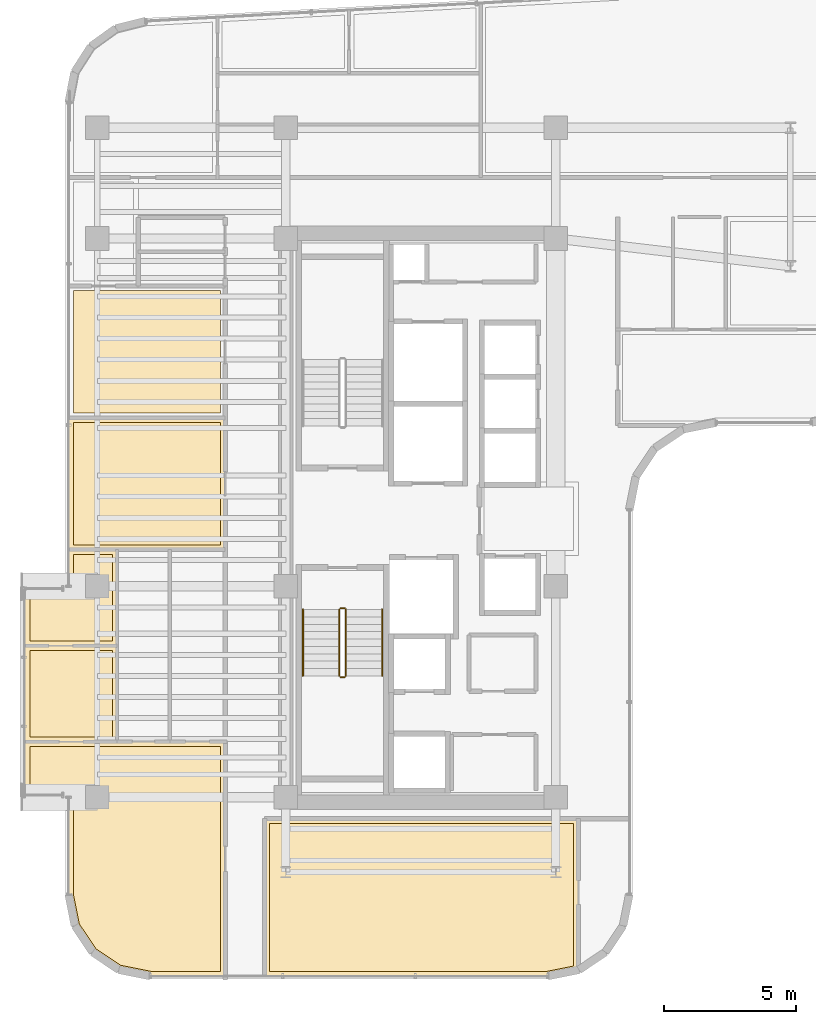
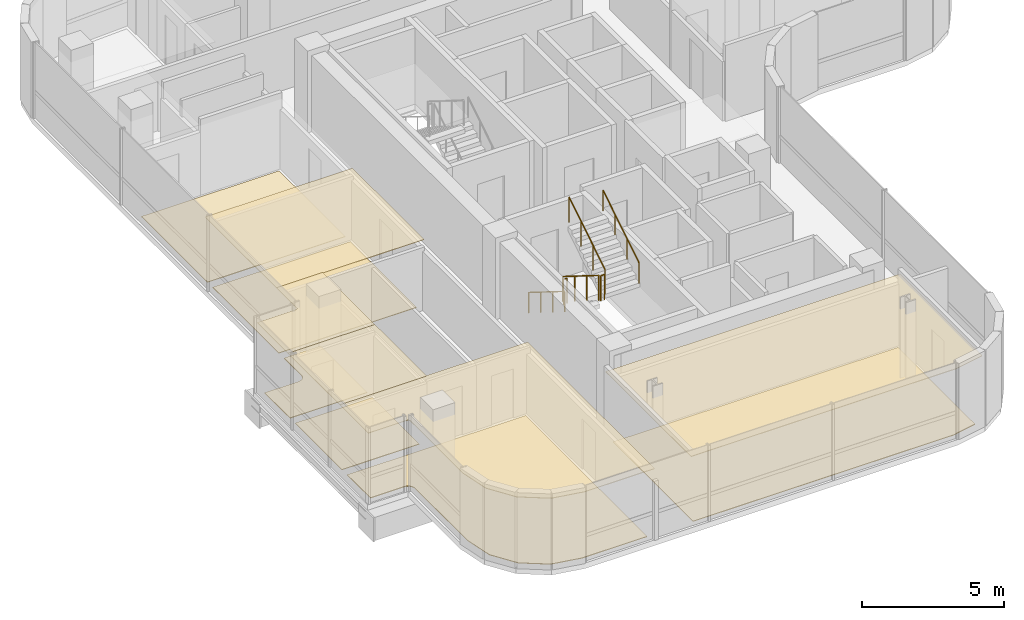
# One storey, part 22 of 24: 11 coverings, 6 railings.
"""IFC4 building model written with IfcOpenShell, lengths in metres."""

import ifcopenshell
import ifcopenshell.guid

model = None  # the IFC model being written
_history = None  # IfcOwnerHistory: only IFC2X3 demands one
_inside = {}  # id of a spatial element -> (the spatial element, [elements in it])
_under = {}  # id of a project, library or spatial element -> (it, [spatial elements below it])
_declared = {}  # id of a project -> (the project, [libraries it declares])
_typed = {}  # id of a type object -> (the type object, [elements of that type])
_made_of = {}  # id of a material, layer set ... -> (it, [elements and type objects made of it])


def new_model(schema):
    """Start an empty IFC model of exactly this schema.

    Asked for "IFC4X3", IfcOpenShell would pick the latest addendum, in which some entities
    have other attributes; the version numbers below select the first issue.
    IFC2X3 requires an IfcOwnerHistory on every rooted entity: one is made here for all.
    """
    global model, _history
    if schema == "IFC4X3":
        model = ifcopenshell.file(schema_version=(4, 3, 0, 0))
    else:
        model = ifcopenshell.file(schema=schema)
    _inside.clear()
    _under.clear()
    _declared.clear()
    _typed.clear()
    _made_of.clear()
    _history = None
    if model.schema == "IFC2X3":
        org = make("IfcOrganization", Name="unknown")
        user = make(
            "IfcPersonAndOrganization",
            ThePerson=make("IfcPerson", FamilyName="unknown"),
            TheOrganization=org,
        )
        app = make(
            "IfcApplication",
            ApplicationDeveloper=org,
            Version="unknown",
            ApplicationFullName="unknown",
            ApplicationIdentifier="unknown",
        )
        _history = make(
            "IfcOwnerHistory",
            OwningUser=user,
            OwningApplication=app,
            ChangeAction="ADDED",
            CreationDate=0,
        )
    return model


def make(cls, **values):
    """One entity of the class cls with the attributes given. An attribute that is None is left unset."""
    return model.create_entity(
        cls, **{name: value for name, value in values.items() if value is not None}
    )


def rooted(cls, **values):
    """An entity with a GlobalId (a new one), such as an element, a storey or a relation."""
    return make(cls, GlobalId=ifcopenshell.guid.new(), OwnerHistory=_history, **values)


def si_unit(unit_type, name, prefix=None):
    """IfcSIUnit, for example si_unit("LENGTHUNIT", "METRE", prefix="MILLI")."""
    return make("IfcSIUnit", UnitType=unit_type, Prefix=prefix, Name=name)


def assignment(units):
    """IfcUnitAssignment: the units of a project."""
    return None if units is None else make("IfcUnitAssignment", Units=units)


def point(xyz):
    """IfcCartesianPoint."""
    return None if xyz is None else make("IfcCartesianPoint", Coordinates=xyz)


def direction(xyz):
    """IfcDirection."""
    return None if xyz is None else make("IfcDirection", DirectionRatios=xyz)


def frame(location, z_axis=None, x_axis=None):
    """IfcAxis2Placement3D, a coordinate frame: its origin and axes. An axis left out is left unset."""
    return make(
        "IfcAxis2Placement3D",
        Location=point(location),
        Axis=direction(z_axis),
        RefDirection=direction(x_axis),
    )


def frame_2d(location, x_axis=None):
    """IfcAxis2Placement2D, a coordinate frame in the plane: its origin and x axis."""
    return make(
        "IfcAxis2Placement2D", Location=point(location), RefDirection=direction(x_axis)
    )


def origin():
    """The frame at (0, 0, 0) with its axes left unset."""
    return frame((0.0, 0.0, 0.0))


def origin_2d():
    """The frame at (0, 0) in the plane with its x axis left unset."""
    return frame_2d((0.0, 0.0))


def place(relative_to, where):
    """IfcLocalPlacement: puts the frame where relative to a parent placement (None: the world)."""
    return make(
        "IfcLocalPlacement", PlacementRelTo=relative_to, RelativePlacement=where
    )


def context(
    kind, dimensions, precision=None, world=None, true_north=None, identifier=None
):
    """IfcGeometricRepresentationContext, for example the 3D "Model" context."""
    return make(
        "IfcGeometricRepresentationContext",
        ContextIdentifier=identifier,
        ContextType=kind,
        CoordinateSpaceDimension=dimensions,
        Precision=precision,
        WorldCoordinateSystem=world,
        TrueNorth=true_north,
    )


def subcontext(parent, identifier, kind, view, scale=None):
    """IfcGeometricRepresentationSubContext, for example "Body" below "Model"."""
    return make(
        "IfcGeometricRepresentationSubContext",
        ContextIdentifier=identifier,
        ContextType=kind,
        ParentContext=parent,
        TargetScale=scale,
        TargetView=view,
    )


def project(units=None, contexts=None):
    """IfcProject with its units and contexts."""
    return rooted(
        "IfcProject",
        Name="project",
        RepresentationContexts=contexts,
        UnitsInContext=assignment(units),
    )


def spatial(cls, under=None, at=None, **own):
    """A site, building, storey or space (cls), placed at a placement, below another one or the project."""
    s = rooted(cls, ObjectPlacement=at, **own)
    if under is not None:
        _under.setdefault(under.id(), (under, []))[1].append(s)
    return s


def polyline(points):
    """IfcPolyline through the points."""
    return make("IfcPolyline", Points=[point(p) for p in points])


def profile(cls, at=None, kind="AREA", **sizes):
    """A parametric profile (cls). Its sizes go by their IFC names, for example OverallWidth=200.0."""
    return make(cls, ProfileType=kind, Position=at, **sizes)


def circle(**sizes):
    """IfcCircleProfileDef."""
    return profile("IfcCircleProfileDef", **sizes)


def outline(outer, holes=None, kind="AREA"):
    """IfcArbitraryClosedProfileDef: a profile drawn as a closed curve; with holes, ...WithVoids."""
    if holes is None:
        return make("IfcArbitraryClosedProfileDef", ProfileType=kind, OuterCurve=outer)
    return make(
        "IfcArbitraryProfileDefWithVoids",
        ProfileType=kind,
        OuterCurve=outer,
        InnerCurves=holes,
    )


def extrude(swept, where, along, depth):
    """IfcExtrudedAreaSolid: the profile swept, set in the frame where, extruded along a direction by depth."""
    return make(
        "IfcExtrudedAreaSolid",
        SweptArea=swept,
        Position=where,
        ExtrudedDirection=direction(along),
        Depth=depth,
    )


def shape(context_of_items, identifier, shape_type, items):
    """IfcShapeRepresentation: the items that make up one representation, for example the "Body"."""
    return make(
        "IfcShapeRepresentation",
        ContextOfItems=context_of_items,
        RepresentationIdentifier=identifier,
        RepresentationType=shape_type,
        Items=items,
    )


def material(Name=None, Category=None):
    """IfcMaterial."""
    return make("IfcMaterial", Name=Name, Category=Category)


def layer(
    of_material, thickness, ventilated=None, Name=None, Category=None, Priority=None
):
    """IfcMaterialLayer: one layer of a wall or slab, of a material (None: an air gap)."""
    return make(
        "IfcMaterialLayer",
        Material=of_material,
        LayerThickness=thickness,
        IsVentilated=ventilated,
        Name=Name,
        Category=Category,
        Priority=Priority,
    )


def layer_set(layers, Name=None):
    """IfcMaterialLayerSet."""
    return make("IfcMaterialLayerSet", MaterialLayers=layers, LayerSetName=Name)


def made_of(thing, what):
    """Note that an element or type object is made of a material, layer set ...; save() writes the relation."""
    if what is not None:
        _made_of.setdefault(what.id(), (what, []))[1].append(thing)
    return thing


def type_object(cls, material=None, **own):
    """A type object (cls), such as IfcWallType, which elements share."""
    return made_of(rooted(cls, **own), material)


def element(
    cls,
    number,
    at=None,
    inside=None,
    cuts=None,
    type_object=None,
    material=None,
    context=None,
    identifier="Body",
    shape_type=None,
    held_by="IfcProductDefinitionShape",
    body=None,
    shapes=None,
    **own,
):
    """One element of the class cls, such as IfcWall. Its Tag is "e" and its number.

    at: its placement. inside: the storey or other place that contains it. cuts: it is an
    opening in that element (IfcRelVoidsElement). A single representation is given by context,
    identifier, shape_type and body (its items); several are given by shapes. held_by: the class
    of the entity that holds the representations. save() writes the other relations.
    """
    e = rooted(cls, Tag="e%d" % number, ObjectPlacement=at, **own)
    if body is not None:
        shapes = [shape(context, identifier, shape_type, body)]
    if shapes is not None:
        e.Representation = make(held_by, Representations=shapes)
    if inside is not None:
        _inside.setdefault(inside.id(), (inside, []))[1].append(e)
    if cuts is not None:
        rooted(
            "IfcRelVoidsElement", RelatingBuildingElement=cuts, RelatedOpeningElement=e
        )
    if type_object is not None:
        _typed.setdefault(type_object.id(), (type_object, []))[1].append(e)
    return made_of(e, material)


def aggregate(whole, parts):
    """IfcRelAggregates: a whole, such as a stair, and the parts it consists of."""
    return rooted("IfcRelAggregates", RelatingObject=whole, RelatedObjects=parts)


def save(model, path):
    """Write the relations noted so far, then the file.

    IfcRelAggregates (storeys below a building ...), IfcRelContainedInSpatialStructure (elements
    in a storey), IfcRelDefinesByType, IfcRelAssociatesMaterial and IfcRelDeclares: one each for
    every whole, place, type object, material and project.
    """
    for whole, parts in _under.values():
        aggregate(whole, parts)
    for where, things in _inside.values():
        rooted(
            "IfcRelContainedInSpatialStructure",
            RelatedElements=things,
            RelatingStructure=where,
        )
    for kind, things in _typed.values():
        rooted("IfcRelDefinesByType", RelatedObjects=things, RelatingType=kind)
    for what, things in _made_of.values():
        rooted("IfcRelAssociatesMaterial", RelatedObjects=things, RelatingMaterial=what)
    for by, libraries in _declared.values():
        rooted("IfcRelDeclares", RelatingContext=by, RelatedDefinitions=libraries)
    model.write(path)


model = new_model("IFC4")

# Units and contexts
model_context = context("Model", 3, precision=1e-05, world=origin(), true_north=direction((0.0, 1.0)))
body_context = subcontext(model_context, "Body", "Model", "MODEL_VIEW")
ifc_project = project(units=[si_unit("LENGTHUNIT", "METRE"), si_unit("AREAUNIT", "SQUARE_METRE"), si_unit("VOLUMEUNIT", "CUBIC_METRE"), si_unit("PLANEANGLEUNIT", "RADIAN"), si_unit("MASSUNIT", "GRAM", prefix="KILO")], contexts=[model_context])

# Site, building, storey
site_placement = place(None, origin())
site = spatial("IfcSite", under=ifc_project, at=site_placement, CompositionType="ELEMENT")
building_placement = place(site_placement, origin())
building = spatial("IfcBuilding", under=site, at=building_placement, Name="Valdorenza Pilgrim Sanctuary Tower", CompositionType="ELEMENT")
storey_placement = place(building_placement, frame((0.0, 0.0, 205.5)))
storey = spatial("IfcBuildingStorey", under=building, at=storey_placement, Name="L52", CompositionType="ELEMENT", Elevation=205.5)

# Coverings
ifc_material_1 = material(Name="Micro-perforated acoustic mineral ceiling tile", Category="gypsum")
ifc_layer_1 = layer(ifc_material_1, 0.02490234375, Name="Micro-perforated acoustic mineral ceiling tile")
ifc_layer_set_1 = layer_set([ifc_layer_1], Name="Micro-perforated acoustic mineral ceiling tile")
covering_type_1 = type_object("IfcCoveringType", Name="COV-CLG-ACU", PredefinedType="CEILING", material=ifc_layer_set_1)
covering_1_placement = place(storey_placement, frame((0.0, 0.0, 2.9599609375)))
element("IfcCovering", 1, at=covering_1_placement, inside=storey, type_object=covering_type_1, Name="L52 Grand Pilgrim Residence L52-W1 Bedroom 1 Acoustic Ceiling", PredefinedType="CEILING", context=body_context, shape_type="SweptSolid", body=[
    extrude(outline(polyline([(-29.034912109375, -8.49658203125), (-29.03515625, -8.498291015625), (-29.035400390625, -8.49951171875), (-29.03564453125, -8.501220703125), (-29.0361328125, -8.50244140625), (-29.036865234375, -8.50390625), (-29.03759765625, -8.5048828125), (-29.038330078125, -8.506103515625), (-29.039306640625, -8.50732421875), (-29.04052734375, -8.50830078125), (-29.041748046875, -8.50927734375), (-29.04296875, -8.510009765625), (-29.044189453125, -8.510498046875), (-29.045654296875, -8.510986328125), (-29.047119140625, -8.511474609375), (-29.048583984375, -8.51171875), (-29.050048828125, -8.51171875), (-32.5400390625, -8.51171875), (-32.54150390625, -8.51171875), (-32.54296875, -8.511474609375), (-32.54443359375, -8.510986328125), (-32.545654296875, -8.510498046875), (-32.547119140625, -8.510009765625), (-32.54833984375, -8.50927734375), (-32.549560546875, -8.50830078125), (-32.550537109375, -8.50732421875), (-32.551513671875, -8.506103515625), (-32.552490234375, -8.5048828125), (-32.55322265625, -8.50390625), (-32.553955078125, -8.50244140625), (-32.554443359375, -8.501220703125), (-32.5546875, -8.49951171875), (-32.554931640625, -8.498291015625), (-32.554931640625, -8.49658203125), (-32.554931640625, -4.852783203125), (-32.554931640625, -4.851318359375), (-32.5546875, -4.85009765625), (-32.554443359375, -4.848388671875), (-32.553955078125, -4.84716796875), (-32.55322265625, -4.845703125), (-32.552490234375, -4.844482421875), (-32.551513671875, -4.843505859375), (-32.550537109375, -4.84228515625), (-32.549560546875, -4.84130859375), (-32.54833984375, -4.84033203125), (-32.547119140625, -4.839599609375), (-32.545654296875, -4.839111328125), (-32.54443359375, -4.83837890625), (-32.54296875, -4.838134765625), (-32.54150390625, -4.837890625), (-32.5400390625, -4.837890625), (-29.050048828125, -4.837890625), (-29.048583984375, -4.837890625), (-29.047119140625, -4.838134765625), (-29.045654296875, -4.83837890625), (-29.044189453125, -4.839111328125), (-29.04296875, -4.839599609375), (-29.041748046875, -4.84033203125), (-29.04052734375, -4.84130859375), (-29.039306640625, -4.84228515625), (-29.038330078125, -4.843505859375), (-29.03759765625, -4.844482421875), (-29.036865234375, -4.845703125), (-29.0361328125, -4.84716796875), (-29.03564453125, -4.848388671875), (-29.035400390625, -4.85009765625), (-29.03515625, -4.851318359375), (-29.034912109375, -4.852783203125), (-29.034912109375, -8.49658203125)])), origin(), (0.0, 0.0, 1.0), 0.025146484375),
])
covering_2_placement = place(storey_placement, frame((0.0, 0.0, 2.9599609375)))
element("IfcCovering", 2, at=covering_2_placement, inside=storey, type_object=covering_type_1, Name="L52 Grand Pilgrim Residence L52-W1 Bedroom 2 Acoustic Ceiling", PredefinedType="CEILING", context=body_context, shape_type="SweptSolid", body=[
    extrude(outline(polyline([(-29.034912109375, -4.850830078125), (-29.03515625, -4.852294921875), (-29.035400390625, -4.853759765625), (-29.03564453125, -4.855224609375), (-29.0361328125, -4.856689453125), (-29.036865234375, -4.85791015625), (-29.03759765625, -4.859130859375), (-29.038330078125, -4.8603515625), (-29.039306640625, -4.861572265625), (-29.04052734375, -4.862548828125), (-29.041748046875, -4.86328125), (-29.04296875, -4.864013671875), (-29.044189453125, -4.86474609375), (-29.045654296875, -4.865234375), (-29.047119140625, -4.865478515625), (-29.048583984375, -4.86572265625), (-29.050048828125, -4.865966796875), (-32.5400390625, -4.865966796875), (-32.54150390625, -4.86572265625), (-32.54296875, -4.865478515625), (-32.54443359375, -4.865234375), (-32.545654296875, -4.86474609375), (-32.547119140625, -4.864013671875), (-32.54833984375, -4.86328125), (-32.549560546875, -4.862548828125), (-32.550537109375, -4.861572265625), (-32.551513671875, -4.8603515625), (-32.552490234375, -4.859130859375), (-32.55322265625, -4.85791015625), (-32.553955078125, -4.856689453125), (-32.554443359375, -4.855224609375), (-32.5546875, -4.853759765625), (-32.554931640625, -4.852294921875), (-32.554931640625, -4.850830078125), (-32.554931640625, -2.7099609375), (-32.554931640625, -2.70849609375), (-32.5546875, -2.70703125), (-32.554443359375, -2.70556640625), (-32.553955078125, -2.704345703125), (-32.55322265625, -2.702880859375), (-32.552490234375, -2.70166015625), (-32.551513671875, -2.700439453125), (-32.550537109375, -2.699462890625), (-32.549560546875, -2.698486328125), (-32.54833984375, -2.697509765625), (-32.547119140625, -2.69677734375), (-32.545654296875, -2.696044921875), (-32.54443359375, -2.695556640625), (-32.54296875, -2.6953125), (-32.54150390625, -2.695068359375), (-32.5400390625, -2.695068359375), (-31.00048828125, -2.695068359375), (-30.99072265625, -2.694580078125), (-30.9814453125, -2.693115234375), (-30.972412109375, -2.69091796875), (-30.963623046875, -2.687744140625), (-30.955078125, -2.683837890625), (-30.947265625, -2.678955078125), (-30.939697265625, -2.67333984375), (-30.932861328125, -2.667236328125), (-30.926513671875, -2.660400390625), (-30.9208984375, -2.65283203125), (-30.916259765625, -2.644775390625), (-30.912109375, -2.63623046875), (-30.9091796875, -2.627685546875), (-30.90673828125, -2.618408203125), (-30.905517578125, -2.609375), (-30.905029296875, -2.599609375), (-30.905029296875, -1.208984375), (-30.90478515625, -1.20751953125), (-30.90478515625, -1.2060546875), (-30.904296875, -1.20458984375), (-30.90380859375, -1.203369140625), (-30.9033203125, -1.201904296875), (-30.902587890625, -1.20068359375), (-30.901611328125, -1.199462890625), (-30.900634765625, -1.198486328125), (-30.8994140625, -1.197509765625), (-30.898193359375, -1.196533203125), (-30.897216796875, -1.19580078125), (-30.895751953125, -1.195068359375), (-30.894287109375, -1.194580078125), (-30.892822265625, -1.1943359375), (-30.8916015625, -1.194091796875), (-30.889892578125, -1.194091796875), (-29.050048828125, -1.194091796875), (-29.048583984375, -1.194091796875), (-29.047119140625, -1.1943359375), (-29.045654296875, -1.194580078125), (-29.044189453125, -1.195068359375), (-29.04296875, -1.19580078125), (-29.041748046875, -1.196533203125), (-29.04052734375, -1.197509765625), (-29.039306640625, -1.198486328125), (-29.038330078125, -1.199462890625), (-29.03759765625, -1.20068359375), (-29.036865234375, -1.201904296875), (-29.0361328125, -1.203369140625), (-29.03564453125, -1.20458984375), (-29.035400390625, -1.2060546875), (-29.03515625, -1.20751953125), (-29.034912109375, -1.208984375), (-29.034912109375, -4.850830078125)])), origin(), (0.0, 0.0, 1.0), 0.025146484375),
])
covering_3_placement = place(storey_placement, frame((0.0, 0.0, 2.9599609375)))
element("IfcCovering", 3, at=covering_3_placement, inside=storey, type_object=covering_type_1, Name="L52 Grand Pilgrim Residence L52-W1 Living Room Acoustic Ceiling", PredefinedType="CEILING", context=body_context, shape_type="SweptSolid", body=[
    extrude(outline(polyline([(-29.055419921875, -8.483642578125), (-29.054931640625, -8.4833984375), (-29.0537109375, -8.48291015625), (-29.05224609375, -8.482421875), (-29.05078125, -8.48193359375), (-29.04931640625, -8.481689453125), (-29.048095703125, -8.481689453125), (-24.949951171875, -8.481689453125), (-24.948486328125, -8.481689453125), (-24.947021484375, -8.48193359375), (-24.945556640625, -8.482421875), (-24.9443359375, -8.48291015625), (-24.94287109375, -8.4833984375), (-24.941650390625, -8.484130859375), (-24.9404296875, -8.485107421875), (-24.939453125, -8.486083984375), (-24.9384765625, -8.4873046875), (-24.9375, -8.48828125), (-24.936767578125, -8.489501953125), (-24.93603515625, -8.490966796875), (-24.935546875, -8.4921875), (-24.935302734375, -8.493896484375), (-24.93505859375, -8.4951171875), (-24.93505859375, -8.49658203125), (-24.93505859375, -17.389892578125), (-24.93505859375, -17.3916015625), (-24.935302734375, -17.392822265625), (-24.935546875, -17.394287109375), (-24.93603515625, -17.395751953125), (-24.936767578125, -17.397216796875), (-24.9375, -17.398193359375), (-24.9384765625, -17.3994140625), (-24.939453125, -17.400634765625), (-24.9404296875, -17.401611328125), (-24.941650390625, -17.402587890625), (-24.94287109375, -17.4033203125), (-24.9443359375, -17.40380859375), (-24.945556640625, -17.404296875), (-24.947021484375, -17.40478515625), (-24.948486328125, -17.40478515625), (-24.949951171875, -17.405029296875), (-27.789306640625, -17.405029296875), (-27.79052734375, -17.40478515625), (-27.7919921875, -17.40478515625), (-28.984619140625, -17.16748046875), (-28.986083984375, -17.1669921875), (-28.9873046875, -17.16650390625), (-28.98876953125, -17.166015625), (-28.989990234375, -17.165283203125), (-29.99169921875, -16.495849609375), (-29.992919921875, -16.4951171875), (-29.993896484375, -16.493896484375), (-29.9951171875, -16.492919921875), (-29.995849609375, -16.49169921875), (-30.665283203125, -15.489990234375), (-30.666015625, -15.48876953125), (-30.66650390625, -15.4873046875), (-30.6669921875, -15.486083984375), (-30.66748046875, -15.484619140625), (-30.90478515625, -14.2919921875), (-30.90478515625, -14.29052734375), (-30.905029296875, -14.289306640625), (-30.905029296875, -10.600341796875), (-30.905517578125, -10.5908203125), (-30.90673828125, -10.58154296875), (-30.9091796875, -10.572509765625), (-30.912109375, -10.563720703125), (-30.916259765625, -10.55517578125), (-30.9208984375, -10.547119140625), (-30.926513671875, -10.539794921875), (-30.932861328125, -10.53271484375), (-30.939697265625, -10.526611328125), (-30.947265625, -10.52099609375), (-30.955078125, -10.51611328125), (-30.963623046875, -10.51220703125), (-30.972412109375, -10.509033203125), (-30.9814453125, -10.5068359375), (-30.99072265625, -10.505615234375), (-31.00048828125, -10.5048828125), (-32.5400390625, -10.5048828125), (-32.54150390625, -10.5048828125), (-32.54296875, -10.504638671875), (-32.54443359375, -10.50439453125), (-32.545654296875, -10.50390625), (-32.547119140625, -10.503173828125), (-32.54833984375, -10.50244140625), (-32.549560546875, -10.501708984375), (-32.550537109375, -10.50048828125), (-32.551513671875, -10.49951171875), (-32.552490234375, -10.498291015625), (-32.55322265625, -10.4970703125), (-32.553955078125, -10.49560546875), (-32.554443359375, -10.494384765625), (-32.5546875, -10.492919921875), (-32.554931640625, -10.491455078125), (-32.554931640625, -10.489990234375), (-32.554931640625, -8.498779296875), (-32.554931640625, -8.497314453125), (-32.5546875, -8.495849609375), (-32.554443359375, -8.494384765625), (-32.553955078125, -8.492919921875), (-32.55322265625, -8.49169921875), (-32.552490234375, -8.490478515625), (-32.551513671875, -8.4892578125), (-32.550537109375, -8.488037109375), (-32.549560546875, -8.487060546875), (-32.54833984375, -8.486083984375), (-32.547119140625, -8.485595703125), (-32.545654296875, -8.48486328125), (-32.54443359375, -8.484375), (-32.54296875, -8.48388671875), (-32.54150390625, -8.48388671875), (-32.5400390625, -8.483642578125), (-29.055419921875, -8.483642578125)])), origin(), (0.0, 0.0, 1.0), 0.025146484375),
])
covering_4_placement = place(storey_placement, frame((0.0, 0.0, 2.9599609375)))
element("IfcCovering", 4, at=covering_4_placement, inside=storey, type_object=covering_type_1, Name="L52 Sanctuary Tea Lounge L52-W Acoustic Ceiling", PredefinedType="CEILING", context=body_context, shape_type="SweptSolid", body=[
    extrude(outline(polyline([(-29.0517578125, -1.221923828125), (-30.889892578125, -1.221923828125), (-30.8916015625, -1.221923828125), (-30.892822265625, -1.2216796875), (-30.894287109375, -1.221435546875), (-30.895751953125, -1.220947265625), (-30.897216796875, -1.22021484375), (-30.898193359375, -1.219482421875), (-30.8994140625, -1.218505859375), (-30.900634765625, -1.217529296875), (-30.901611328125, -1.216552734375), (-30.902587890625, -1.21533203125), (-30.9033203125, -1.214111328125), (-30.90380859375, -1.212646484375), (-30.904296875, -1.21142578125), (-30.90478515625, -1.2099609375), (-30.90478515625, -1.20849609375), (-30.905029296875, -1.20703125), (-30.905029296875, 3.79541015625), (-30.90478515625, 3.797119140625), (-30.90478515625, 3.79833984375), (-30.904296875, 3.7998046875), (-30.90380859375, 3.80126953125), (-30.9033203125, 3.802490234375), (-30.902587890625, 3.8037109375), (-30.901611328125, 3.804931640625), (-30.900634765625, 3.80615234375), (-30.8994140625, 3.80712890625), (-30.898193359375, 3.80810546875), (-30.897216796875, 3.80859375), (-30.895751953125, 3.809326171875), (-30.894287109375, 3.809814453125), (-30.892822265625, 3.810302734375), (-30.8916015625, 3.810302734375), (-30.889892578125, 3.810546875), (-24.949951171875, 3.810546875), (-24.948486328125, 3.810302734375), (-24.947021484375, 3.810302734375), (-24.945556640625, 3.809814453125), (-24.9443359375, 3.809326171875), (-24.94287109375, 3.80859375), (-24.941650390625, 3.80810546875), (-24.9404296875, 3.80712890625), (-24.939453125, 3.80615234375), (-24.9384765625, 3.804931640625), (-24.9375, 3.8037109375), (-24.936767578125, 3.802490234375), (-24.93603515625, 3.80126953125), (-24.935546875, 3.7998046875), (-24.935302734375, 3.79833984375), (-24.93505859375, 3.797119140625), (-24.93505859375, 3.79541015625), (-24.93505859375, -1.20703125), (-24.93505859375, -1.20849609375), (-24.935302734375, -1.2099609375), (-24.935546875, -1.21142578125), (-24.93603515625, -1.212646484375), (-24.936767578125, -1.214111328125), (-24.9375, -1.21533203125), (-24.9384765625, -1.216552734375), (-24.939453125, -1.217529296875), (-24.9404296875, -1.218505859375), (-24.941650390625, -1.219482421875), (-24.94287109375, -1.22021484375), (-24.9443359375, -1.220947265625), (-24.945556640625, -1.221435546875), (-24.947021484375, -1.2216796875), (-24.948486328125, -1.221923828125), (-24.949951171875, -1.221923828125), (-27.04833984375, -1.221923828125), (-27.048828125, -1.22216796875), (-27.050537109375, -1.222412109375), (-27.052001953125, -1.22216796875), (-27.053466796875, -1.22216796875), (-27.0537109375, -1.221923828125), (-29.04638671875, -1.221923828125), (-29.046875, -1.22216796875), (-29.048583984375, -1.222412109375), (-29.050048828125, -1.22216796875), (-29.051513671875, -1.22216796875), (-29.0517578125, -1.221923828125)])), origin(), (0.0, 0.0, 1.0), 0.025146484375),
])
covering_5_placement = place(storey_placement, frame((0.0, 0.0, 2.9599609375)))
element("IfcCovering", 5, at=covering_5_placement, inside=storey, type_object=covering_type_1, Name="L52 South Contemplation Lounge L52 Acoustic Ceiling", PredefinedType="CEILING", context=body_context, shape_type="SweptSolid", body=[
    extrude(outline(polyline([(-11.550048828125, -11.405029296875), (-11.548583984375, -11.405029296875), (-11.547119140625, -11.4052734375), (-11.545654296875, -11.405517578125), (-11.544189453125, -11.406005859375), (-11.54296875, -11.40673828125), (-11.541748046875, -11.407470703125), (-11.54052734375, -11.408447265625), (-11.539306640625, -11.409423828125), (-11.538330078125, -11.410400390625), (-11.53759765625, -11.41162109375), (-11.536865234375, -11.412841796875), (-11.5361328125, -11.414306640625), (-11.53564453125, -11.41552734375), (-11.535400390625, -11.4169921875), (-11.53515625, -11.41845703125), (-11.534912109375, -11.419921875), (-11.534912109375, -17.1591796875), (-11.53515625, -17.16064453125), (-11.535400390625, -17.162109375), (-11.53564453125, -17.163330078125), (-11.5361328125, -17.164794921875), (-11.536865234375, -17.166259765625), (-11.53759765625, -17.16748046875), (-11.538330078125, -17.168701171875), (-11.539306640625, -17.169677734375), (-11.54052734375, -17.170654296875), (-11.541748046875, -17.171630859375), (-11.54296875, -17.17236328125), (-11.544189453125, -17.1728515625), (-11.545654296875, -17.17333984375), (-11.547119140625, -17.173828125), (-12.7080078125, -17.40478515625), (-12.70947265625, -17.40478515625), (-12.710693359375, -17.405029296875), (-23.449951171875, -17.405029296875), (-23.451416015625, -17.40478515625), (-23.452880859375, -17.40478515625), (-23.454345703125, -17.404296875), (-23.455810546875, -17.40380859375), (-23.45703125, -17.4033203125), (-23.458251953125, -17.402587890625), (-23.45947265625, -17.401611328125), (-23.460693359375, -17.400634765625), (-23.461669921875, -17.3994140625), (-23.46240234375, -17.398193359375), (-23.463134765625, -17.397216796875), (-23.4638671875, -17.395751953125), (-23.46435546875, -17.394287109375), (-23.464599609375, -17.392822265625), (-23.46484375, -17.3916015625), (-23.465087890625, -17.389892578125), (-23.465087890625, -11.419921875), (-23.46484375, -11.41845703125), (-23.464599609375, -11.4169921875), (-23.46435546875, -11.41552734375), (-23.4638671875, -11.414306640625), (-23.463134765625, -11.412841796875), (-23.46240234375, -11.41162109375), (-23.461669921875, -11.410400390625), (-23.460693359375, -11.409423828125), (-23.45947265625, -11.408447265625), (-23.458251953125, -11.407470703125), (-23.45703125, -11.40673828125), (-23.455810546875, -11.406005859375), (-23.454345703125, -11.405517578125), (-23.452880859375, -11.4052734375), (-23.451416015625, -11.405029296875), (-23.449951171875, -11.405029296875), (-11.550048828125, -11.405029296875)])), origin(), (0.0, 0.0, 1.0), 0.025146484375),
])
ifc_material_2 = material(Name="Engineered European oak timber flooring", Category="wood")
ifc_layer_2 = layer(ifc_material_2, 0.02197265625, Name="Engineered European oak timber flooring")
ifc_layer_set_2 = layer_set([ifc_layer_2], Name="Engineered European oak timber flooring")
covering_type_2 = type_object("IfcCoveringType", Name="COV-FLR-OAK", PredefinedType="FLOORING", material=ifc_layer_set_2)
covering_6_placement = place(storey_placement, origin())
element("IfcCovering", 6, at=covering_6_placement, inside=storey, type_object=covering_type_2, Name="L52 Grand Pilgrim Residence L52-W1 Bedroom 1 Flooring", PredefinedType="FLOORING", context=body_context, shape_type="SweptSolid", body=[
    extrude(outline(polyline([(-29.22998046875, -8.316650390625), (-32.360107421875, -8.316650390625), (-32.360107421875, -5.032958984375), (-29.22998046875, -5.032958984375), (-29.22998046875, -8.316650390625)])), origin(), (0.0, 0.0, 1.0), 0.02490234375),
])
covering_7_placement = place(storey_placement, origin())
element("IfcCovering", 7, at=covering_7_placement, inside=storey, type_object=covering_type_2, Name="L52 Grand Pilgrim Residence L52-W1 Bedroom 2 Flooring", PredefinedType="FLOORING", context=body_context, shape_type="SweptSolid", body=[
    extrude(outline(polyline([(-29.22998046875, -4.6708984375), (-32.360107421875, -4.6708984375), (-32.360107421875, -2.889892578125), (-31.0, -2.889892578125), (-30.9912109375, -2.889892578125), (-30.98046875, -2.889404296875), (-30.962890625, -2.887451171875), (-30.9521484375, -2.885986328125), (-30.934814453125, -2.882568359375), (-30.92431640625, -2.8798828125), (-30.907470703125, -2.874755859375), (-30.897216796875, -2.87109375), (-30.880859375, -2.8642578125), (-30.87109375, -2.859619140625), (-30.855712890625, -2.851318359375), (-30.84619140625, -2.845947265625), (-30.831787109375, -2.8359375), (-30.822998046875, -2.82958984375), (-30.809326171875, -2.818359375), (-30.80126953125, -2.811279296875), (-30.788818359375, -2.798583984375), (-30.781494140625, -2.790771484375), (-30.7705078125, -2.777099609375), (-30.763916015625, -2.768310546875), (-30.754150390625, -2.753662109375), (-30.74853515625, -2.744384765625), (-30.740234375, -2.728759765625), (-30.735595703125, -2.718994140625), (-30.72900390625, -2.70263671875), (-30.725341796875, -2.692626953125), (-30.72021484375, -2.67578125), (-30.717529296875, -2.665283203125), (-30.714111328125, -2.64794921875), (-30.71240234375, -2.63720703125), (-30.710693359375, -2.61962890625), (-30.710205078125, -2.60888671875), (-30.7099609375, -2.60009765625), (-30.7099609375, -1.388916015625), (-29.22998046875, -1.388916015625), (-29.22998046875, -4.6708984375)])), origin(), (0.0, 0.0, 1.0), 0.02490234375),
])
covering_8_placement = place(storey_placement, origin())
element("IfcCovering", 8, at=covering_8_placement, inside=storey, type_object=covering_type_2, Name="L52 Grand Pilgrim Residence L52-W1 Living Room Flooring", PredefinedType="FLOORING", context=body_context, shape_type="SweptSolid", body=[
    extrude(outline(polyline([(-28.911376953125, -16.983154296875), (-29.853515625, -16.353515625), (-30.483154296875, -15.411376953125), (-30.7099609375, -14.271484375), (-30.7099609375, -10.60009765625), (-30.710205078125, -10.59130859375), (-30.710693359375, -10.580322265625), (-30.71240234375, -10.562744140625), (-30.714111328125, -10.552001953125), (-30.717529296875, -10.534912109375), (-30.72021484375, -10.5244140625), (-30.725341796875, -10.50732421875), (-30.72900390625, -10.497314453125), (-30.735595703125, -10.48095703125), (-30.740234375, -10.47119140625), (-30.74853515625, -10.45556640625), (-30.754150390625, -10.4462890625), (-30.763916015625, -10.431640625), (-30.7705078125, -10.423095703125), (-30.781494140625, -10.4091796875), (-30.788818359375, -10.4013671875), (-30.80126953125, -10.388916015625), (-30.809326171875, -10.381591796875), (-30.822998046875, -10.370361328125), (-30.831787109375, -10.364013671875), (-30.84619140625, -10.35400390625), (-30.855712890625, -10.3486328125), (-30.87109375, -10.34033203125), (-30.880859375, -10.335693359375), (-30.897216796875, -10.328857421875), (-30.907470703125, -10.3251953125), (-30.92431640625, -10.320068359375), (-30.934814453125, -10.3173828125), (-30.9521484375, -10.314208984375), (-30.962890625, -10.3125), (-30.98046875, -10.310791015625), (-30.9912109375, -10.310302734375), (-31.0, -10.31005859375), (-32.360107421875, -10.31005859375), (-32.360107421875, -8.6787109375), (-29.050048828125, -8.6787109375), (-25.1298828125, -8.6767578125), (-25.1298828125, -17.2099609375), (-27.771484375, -17.2099609375), (-28.911376953125, -16.983154296875)])), origin(), (0.0, 0.0, 1.0), 0.02490234375),
])
ifc_material_3 = material(Name="Honed travertine stone flooring", Category="masonry")
ifc_layer_3 = layer(ifc_material_3, 0.030029296875, Name="Honed travertine stone flooring")
ifc_layer_set_3 = layer_set([ifc_layer_3], Name="Honed travertine stone flooring")
covering_type_3 = type_object("IfcCoveringType", Name="COV-FLR-TRV", PredefinedType="FLOORING", material=ifc_layer_set_3)
covering_9_placement = place(storey_placement, origin())
element("IfcCovering", 9, at=covering_9_placement, inside=storey, type_object=covering_type_3, Name="L52 Sanctuary Tea Lounge L52-W Flooring", PredefinedType="FLOORING", context=body_context, shape_type="SweptSolid", body=[
    extrude(outline(polyline([(-29.0498046875, -1.027099609375), (-29.050048828125, -1.027099609375), (-30.7099609375, -1.027099609375), (-30.7099609375, 3.615478515625), (-25.1298828125, 3.615478515625), (-25.1298828125, -1.027099609375), (-27.050048828125, -1.027099609375), (-27.051025390625, -1.027099609375), (-27.0517578125, -1.027099609375), (-27.052001953125, -1.027099609375), (-29.048095703125, -1.027099609375), (-29.049072265625, -1.027099609375), (-29.0498046875, -1.027099609375)])), origin(), (0.0, 0.0, 1.0), 0.02490234375),
])
covering_10_placement = place(storey_placement, origin())
element("IfcCovering", 10, at=covering_10_placement, inside=storey, type_object=covering_type_3, Name="L52 Curator Research Office L52-W Flooring", PredefinedType="FLOORING", context=body_context, shape_type="SweptSolid", body=[
    extrude(outline(polyline([(-28.250244140625, 8.617919921875), (-28.25, 8.617919921875), (-25.1298828125, 8.617919921875), (-25.1298828125, 3.9775390625), (-30.7099609375, 3.9775390625), (-30.7099609375, 8.617919921875), (-28.251953125, 8.617919921875), (-28.2509765625, 8.617919921875), (-28.250244140625, 8.617919921875)])), origin(), (0.0, 0.0, 1.0), 0.02490234375),
])
covering_11_placement = place(storey_placement, origin())
element("IfcCovering", 11, at=covering_11_placement, inside=storey, type_object=covering_type_3, Name="L52 South Contemplation Lounge L52 Flooring", PredefinedType="FLOORING", context=body_context, shape_type="SweptSolid", body=[
    extrude(outline(polyline([(-11.72998046875, -11.60009765625), (-11.72998046875, -17.011474609375), (-12.728515625, -17.2099609375), (-23.27001953125, -17.2099609375), (-23.27001953125, -11.60009765625), (-11.72998046875, -11.60009765625)])), origin(), (0.0, 0.0, 1.0), 0.02490234375),
])

# Railings
ifc_material_4 = material(Name="Stainless steel Grade 316", Category="steel")
railing_type_1 = type_object("IfcRailingType", Name="RLG-GRD-1120", PredefinedType="GUARDRAIL", material=ifc_material_4)
railing_1_placement = place(storey_placement, frame((-20.6201171875, -3.47998046875, 0.175048828125)))
element("IfcRailing", 12, at=railing_1_placement, inside=storey, type_object=railing_type_1, Name="L52 ST-A2 stair guard 1", PredefinedType="GUARDRAIL", context=body_context, shape_type="SweptSolid", body=[
    extrude(circle(Radius=0.02392578125, at=origin_2d()), frame((0.0, 0.0, 1.076171875), z_axis=(0.0, -0.848007534815, 0.529984170421), x_axis=(1.0, 0.0, 0.0)), (0.0, 0.0, 1.0), 2.9716796875),
    extrude(circle(Radius=0.02099609375, at=origin_2d()), origin(), (0.0, 0.0, 1.0), 1.052001953125),
    extrude(circle(Radius=0.02099609375, at=origin_2d()), frame((0.0, -0.840087890625, 0.52490234375)), (0.0, 0.0, 1.0), 1.052001953125),
    extrude(circle(Radius=0.02099609375, at=origin_2d()), frame((0.0, -1.679931640625, 1.050048828125)), (0.0, 0.0, 1.0), 1.052001953125),
    extrude(circle(Radius=0.02099609375, at=origin_2d()), frame((0.0, -2.52001953125, 1.574951171875)), (0.0, 0.0, 1.0), 1.052001953125),
])
railing_2_placement = place(storey_placement, frame((-20.570068359375, -6.050048828125, 1.75)))
element("IfcRailing", 13, at=railing_2_placement, inside=storey, type_object=railing_type_1, Name="L52 ST-A2 stair guard 2", PredefinedType="GUARDRAIL", context=body_context, shape_type="SweptSolid", body=[
    extrude(circle(Radius=0.02392578125, at=origin_2d()), frame((0.0, 0.0, 1.076171875), z_axis=(1.0, 0.0, 0.0), x_axis=(0.0, 1.0, 0.0)), (0.0, 0.0, 1.0), 0.150146484375),
    extrude(circle(Radius=0.02099609375, at=origin_2d()), origin(), (0.0, 0.0, 1.0), 1.052001953125),
    extrude(circle(Radius=0.02099609375, at=origin_2d()), frame((0.150146484375, 0.0, 0.0)), (0.0, 0.0, 1.0), 1.052001953125),
])
railing_3_placement = place(storey_placement, frame((-20.3701171875, -6.0, 1.925048828125)))
element("IfcRailing", 14, at=railing_3_placement, inside=storey, type_object=railing_type_1, Name="L52 ST-A2 stair guard 3", PredefinedType="GUARDRAIL", context=body_context, shape_type="SweptSolid", body=[
    extrude(circle(Radius=0.02392578125, at=origin_2d()), frame((0.0, 0.0, 1.076171875), z_axis=(0.0, 0.848007534815, 0.529984170421), x_axis=(-1.0, 0.0, 0.0)), (0.0, 0.0, 1.0), 2.9716796875),
    extrude(circle(Radius=0.02099609375, at=origin_2d()), origin(), (0.0, 0.0, 1.0), 1.052001953125),
    extrude(circle(Radius=0.02099609375, at=origin_2d()), frame((0.0, 0.840087890625, 0.52490234375)), (0.0, 0.0, 1.0), 1.052001953125),
    extrude(circle(Radius=0.02099609375, at=origin_2d()), frame((0.0, 1.679931640625, 1.050048828125)), (0.0, 0.0, 1.0), 1.052001953125),
    extrude(circle(Radius=0.02099609375, at=origin_2d()), frame((0.0, 2.52001953125, 1.574951171875)), (0.0, 0.0, 1.0), 1.052001953125),
])
railing_4_placement = place(storey_placement, frame((-20.570068359375, -3.429931640625, 0.0)))
element("IfcRailing", 15, at=railing_4_placement, inside=storey, type_object=railing_type_1, Name="L52 ST-A2 stair guard 4", PredefinedType="GUARDRAIL", context=body_context, shape_type="SweptSolid", body=[
    extrude(circle(Radius=0.02392578125, at=origin_2d()), frame((0.0, 0.0, 1.076171875), z_axis=(1.0, 0.0, 0.0), x_axis=(0.0, 1.0, 0.0)), (0.0, 0.0, 1.0), 0.150146484375),
    extrude(circle(Radius=0.02099609375, at=origin_2d()), origin(), (0.0, 0.0, 1.0), 1.052001953125),
    extrude(circle(Radius=0.02099609375, at=origin_2d()), frame((0.150146484375, 0.0, 0.0)), (0.0, 0.0, 1.0), 1.052001953125),
])
ifc_material_5 = material(Name="Brushed stainless steel Grade 316", Category="steel")
railing_type_2 = type_object("IfcRailingType", Name="RLG-HND-920", PredefinedType="HANDRAIL", material=ifc_material_5)
railing_5_placement = place(storey_placement, frame((-22.0, -3.47998046875, 0.175048828125)))
element("IfcRailing", 16, at=railing_5_placement, inside=storey, type_object=railing_type_2, Name="L52 ST-A2 stair handrail 1", PredefinedType="HANDRAIL", context=body_context, shape_type="SweptSolid", body=[
    extrude(circle(Radius=0.02392578125, at=origin_2d()), frame((0.0, 0.0, 0.8759765625), z_axis=(0.0, -0.848007534815, 0.529984170421), x_axis=(1.0, 0.0, 0.0)), (0.0, 0.0, 1.0), 2.9716796875),
    extrude(circle(Radius=0.02099609375, at=origin_2d()), origin(), (0.0, 0.0, 1.0), 0.851806640625),
    extrude(circle(Radius=0.02099609375, at=origin_2d()), frame((0.0, -0.840087890625, 0.52490234375)), (0.0, 0.0, 1.0), 0.851806640625),
    extrude(circle(Radius=0.02099609375, at=origin_2d()), frame((0.0, -1.679931640625, 1.050048828125)), (0.0, 0.0, 1.0), 0.851806640625),
    extrude(circle(Radius=0.02099609375, at=origin_2d()), frame((0.0, -2.52001953125, 1.574951171875)), (0.0, 0.0, 1.0), 0.851806640625),
])
railing_6_placement = place(storey_placement, frame((-18.989990234375, -6.0, 1.925048828125)))
element("IfcRailing", 17, at=railing_6_placement, inside=storey, type_object=railing_type_2, Name="L52 ST-A2 stair handrail 2", PredefinedType="HANDRAIL", context=body_context, shape_type="SweptSolid", body=[
    extrude(circle(Radius=0.02392578125, at=origin_2d()), frame((0.0, 0.0, 0.8759765625), z_axis=(0.0, 0.848007534815, 0.529984170421), x_axis=(-1.0, 0.0, 0.0)), (0.0, 0.0, 1.0), 2.9716796875),
    extrude(circle(Radius=0.02099609375, at=origin_2d()), origin(), (0.0, 0.0, 1.0), 0.851806640625),
    extrude(circle(Radius=0.02099609375, at=origin_2d()), frame((0.0, 0.840087890625, 0.52490234375)), (0.0, 0.0, 1.0), 0.851806640625),
    extrude(circle(Radius=0.02099609375, at=origin_2d()), frame((0.0, 1.679931640625, 1.050048828125)), (0.0, 0.0, 1.0), 0.851806640625),
    extrude(circle(Radius=0.02099609375, at=origin_2d()), frame((0.0, 2.52001953125, 1.574951171875)), (0.0, 0.0, 1.0), 0.851806640625),
])

save(model, "model.ifc")
